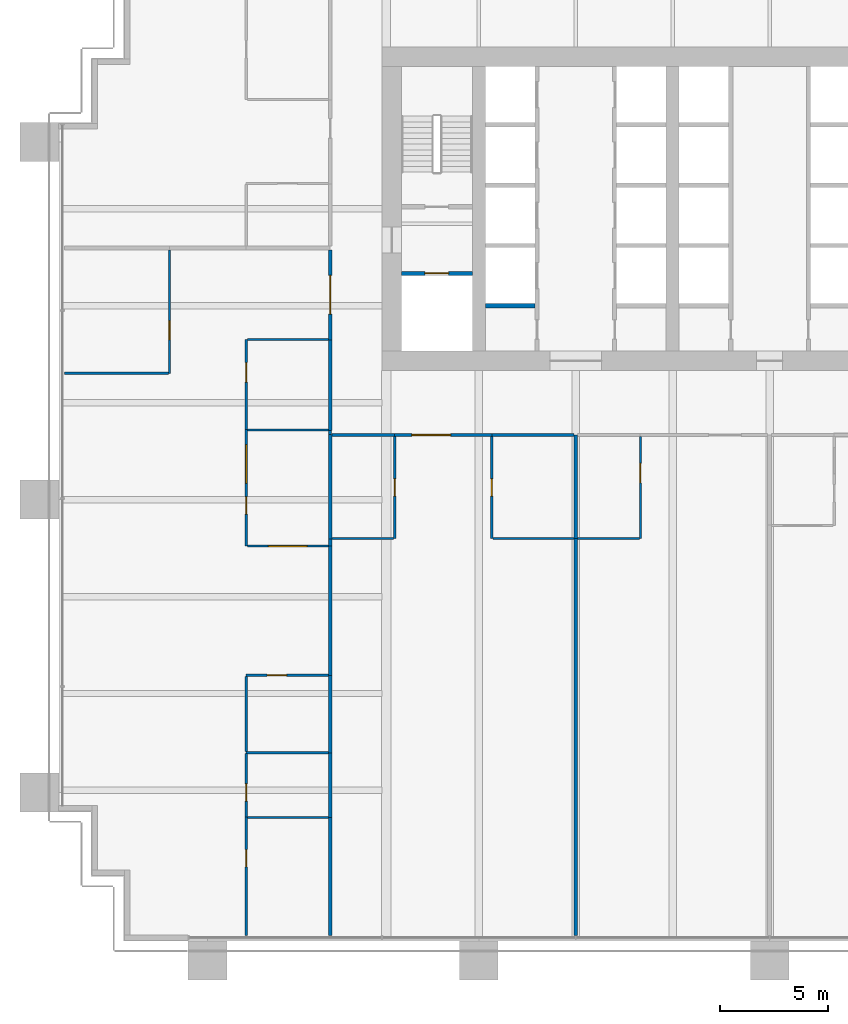
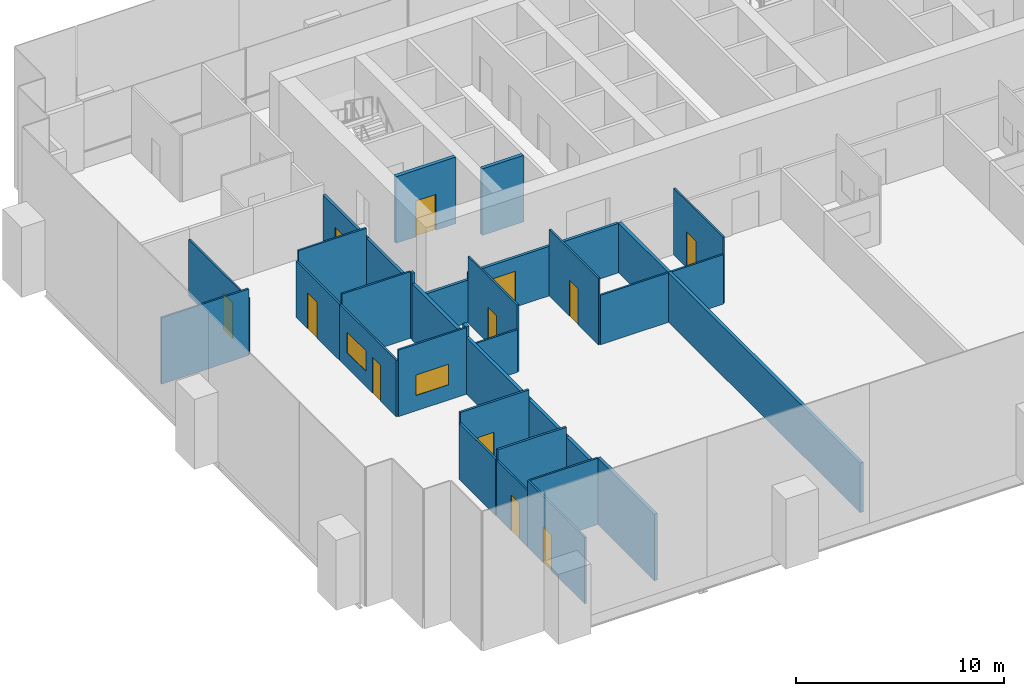
# One storey, part 11 of 18: 35 walls, 12 doors, 2 windows, 14 openings.
"""IFC4 building model written with IfcOpenShell, lengths in metres."""

from ifc_helpers import new_model, si_unit, direction, frame, frame_2d, origin, place, context, subcontext, project, spatial, rectangle, extrude, material, layer, layer_set, type_object, element, fill, save


model = new_model("IFC4")

# Units and contexts
model_context = context("Model", 3, precision=1e-05, world=origin(), true_north=direction((0.0, 1.0)))
body_context = subcontext(model_context, "Body", "Model", "MODEL_VIEW")
ifc_project = project(units=[si_unit("LENGTHUNIT", "METRE"), si_unit("AREAUNIT", "SQUARE_METRE"), si_unit("VOLUMEUNIT", "CUBIC_METRE"), si_unit("PLANEANGLEUNIT", "RADIAN"), si_unit("MASSUNIT", "GRAM", prefix="KILO")], contexts=[model_context])

# Site, building, storey
site_placement = place(None, origin())
site = spatial("IfcSite", under=ifc_project, at=site_placement, CompositionType="ELEMENT")
building_placement = place(site_placement, origin())
building = spatial("IfcBuilding", under=site, at=building_placement, Name="Rattan Terrace Tower", CompositionType="ELEMENT")
storey_placement = place(building_placement, frame((0.0, 0.0, 32.39990234375)))
storey = spatial("IfcBuildingStorey", under=building, at=storey_placement, Name="L06", CompositionType="ELEMENT", Elevation=32.39990234375)

# Wall, opening, door
ifc_material_1 = material(Name="Gypsum board partition")
ifc_layer_1 = layer(ifc_material_1, 0.199951171875)
ifc_layer_set_1 = layer_set([ifc_layer_1], Name="Core partition 200")
wall_type_1 = type_object("IfcWallType", Name="Core partition 200", PredefinedType="PARTITIONING", material=ifc_layer_set_1)
wall_1_placement = place(storey_placement, frame((-17.10009765625, -3.0, 0.0), z_axis=(0.0, 0.0, 1.0), x_axis=(1.0, 0.0, 0.0)))
wall_1 = element("IfcWall", 1, at=wall_1_placement, inside=storey, type_object=wall_type_1, Name="Fire-fighting lobby wall", PredefinedType="PARTITIONING", context=body_context, shape_type="SweptSolid", body=[
    extrude(rectangle(XDim=3.300048828125, YDim=0.199951171875, at=frame_2d((1.64990234375, 0.0))), origin(), (0.0, 0.0, 1.0), 3.900146484375),
])
opening_1_placement = place(wall_1_placement, frame((1.10009765625, 0.0, 0.0)))
opening_1 = element("IfcOpeningElement", 2, at=opening_1_placement, cuts=wall_1, Name="Opening L06-LD-FF1", PredefinedType="OPENING", context=body_context, shape_type="SweptSolid", body=[
    extrude(rectangle(XDim=1.10009765625, YDim=2.10009765625, at=frame_2d((0.550048828125, 1.050048828125))), frame((0.0, 0.110595703125, 0.0), z_axis=(0.0, -1.0, 0.0), x_axis=(1.0, 0.0, 0.0)), (0.0, 0.0, 1.0), 0.220947265625),
])
ifc_material_2 = material(Name="Brushed stainless landing door panel")
door_type_1 = type_object("IfcDoorType", Name="Core lift landing door 1100", OperationType="DOUBLE_DOOR_SLIDING", PredefinedType="DOOR", material=ifc_material_2)
door_1_placement = place(opening_1_placement, origin())
door_1 = element("IfcDoor", 3, at=door_1_placement, inside=storey, type_object=door_type_1, Name="Door L06-LD-FF1", OperationType="DOUBLE_DOOR_SLIDING", OverallHeight=2.10009765625, OverallWidth=1.10009765625, PredefinedType="DOOR", context=body_context, shape_type="SweptSolid", body=[
    extrude(rectangle(XDim=1.10009765625, YDim=2.10009765625, at=frame_2d((0.550048828125, 1.050048828125))), frame((0.0, 0.02490234375, 0.0), z_axis=(0.0, -1.0, 0.0), x_axis=(1.0, 0.0, 0.0)), (0.0, 0.0, 1.0), 0.050048828125),
])
fill(opening_1, door_1)

# Walls
ifc_material_3 = material(Name="Double steel stud acoustic partition, gypsum board, mineral wool, fire rated", Category="steel")
ifc_layer_2 = layer(ifc_material_3, 0.179931640625)
ifc_layer_set_2 = layer_set([ifc_layer_2], Name="Floors Acoustic Party Wall 180")
wall_type_2 = type_object("IfcWallType", Name="Floors Acoustic Party Wall 180", PredefinedType="PARTITIONING", material=ifc_layer_set_2)
wall_2_placement = place(storey_placement, frame((-20.39990234375, -15.659912109375, 0.0), z_axis=(0.0, 0.0, 1.0), x_axis=(0.0, -1.0, 0.0)))
element("IfcWall", 4, at=wall_2_placement, inside=storey, type_object=wall_type_2, Name="pt-L06-034", PredefinedType="PARTITIONING", context=body_context, shape_type="SweptSolid", body=[
    extrude(rectangle(XDim=6.0, YDim=0.179931640625, at=frame_2d((3.0, 0.0))), origin(), (0.0, 0.0, 1.0), 3.300048828125),
])
wall_3_placement = place(storey_placement, frame((-20.39990234375, -28.260009765625, 0.0), z_axis=(0.0, 0.0, 1.0), x_axis=(0.0, -1.0, 0.0)))
element("IfcWall", 5, at=wall_3_placement, inside=storey, type_object=wall_type_2, Name="pt-L06-037", PredefinedType="PARTITIONING", context=body_context, shape_type="SweptSolid", body=[
    extrude(rectangle(XDim=5.47998046875, YDim=0.179931640625, at=frame_2d((2.739990234375, 0.0))), origin(), (0.0, 0.0, 1.0), 3.900146484375),
])
wall_4_placement = place(storey_placement, frame((-20.39990234375, -25.260009765625, 0.0), z_axis=(0.0, 0.0, 1.0), x_axis=(0.0, -1.0, 0.0)))
element("IfcWall", 6, at=wall_4_placement, inside=storey, type_object=wall_type_2, Name="pt-L06-039", PredefinedType="PARTITIONING", context=body_context, shape_type="SweptSolid", body=[
    extrude(rectangle(XDim=3.0, YDim=0.179931640625, at=frame_2d((1.5, 0.0))), origin(), (0.0, 0.0, 1.0), 3.300048828125),
])
wall_5_placement = place(storey_placement, frame((-20.39990234375, -21.659912109375, 0.0), z_axis=(0.0, 0.0, 1.0), x_axis=(0.0, -1.0, 0.0)))
element("IfcWall", 7, at=wall_5_placement, inside=storey, type_object=wall_type_2, Name="pt-L06-040", PredefinedType="PARTITIONING", context=body_context, shape_type="SweptSolid", body=[
    extrude(rectangle(XDim=3.60009765625, YDim=0.179931640625, at=frame_2d((1.800048828125, 0.0))), origin(), (0.0, 0.0, 1.0), 3.300048828125),
])
wall_6_placement = place(storey_placement, frame((-20.39990234375, -15.320068359375, 0.0), z_axis=(0.0, 0.0, 1.0), x_axis=(0.0, -1.0, 0.0)))
element("IfcWall", 8, at=wall_6_placement, inside=storey, type_object=wall_type_2, Name="pt-L06-042", PredefinedType="PARTITIONING", context=body_context, shape_type="SweptSolid", body=[
    extrude(rectangle(XDim=0.33984375, YDim=0.179931640625, at=frame_2d((0.169921875, 0.0))), origin(), (0.0, 0.0, 1.0), 3.900146484375),
])
wall_7_placement = place(storey_placement, frame((-20.39990234375, -10.47998046875, 0.0), z_axis=(0.0, 0.0, 1.0), x_axis=(0.0, -1.0, 0.0)))
element("IfcWall", 9, at=wall_7_placement, inside=storey, type_object=wall_type_2, Name="pt-L06-043", PredefinedType="PARTITIONING", context=body_context, shape_type="SweptSolid", body=[
    extrude(rectangle(XDim=4.840087890625, YDim=0.179931640625, at=frame_2d((2.419921875, 0.0))), origin(), (0.0, 0.0, 1.0), 3.300048828125),
])
wall_8_placement = place(storey_placement, frame((-9.0, -15.300048828125, 0.0), z_axis=(0.0, 0.0, 1.0), x_axis=(0.0, -1.0, 0.0)))
element("IfcWall", 10, at=wall_8_placement, inside=storey, type_object=wall_type_2, Name="pt-L06-052", PredefinedType="PARTITIONING", context=body_context, shape_type="SweptSolid", body=[
    extrude(rectangle(XDim=18.43994140625, YDim=0.179931640625, at=frame_2d((9.219970703125, 0.0))), origin(), (0.0, 0.0, 1.0), 2.900146484375),
])
wall_9_placement = place(storey_placement, frame((-9.0, -10.5, 0.0), z_axis=(0.0, 0.0, 1.0), x_axis=(0.0, -1.0, 0.0)))
element("IfcWall", 11, at=wall_9_placement, inside=storey, type_object=wall_type_2, Name="pt-L06-053", PredefinedType="PARTITIONING", context=body_context, shape_type="SweptSolid", body=[
    extrude(rectangle(XDim=4.800048828125, YDim=0.179931640625, at=frame_2d((2.39990234375, 0.0))), origin(), (0.0, 0.0, 1.0), 2.900146484375),
])
ifc_material_4 = material(Name="Gypsum board partition on steel studs", Category="steel")
ifc_layer_3 = layer(ifc_material_4, 0.10009765625)
ifc_layer_set_3 = layer_set([ifc_layer_3], Name="Floors Partition 100")
wall_type_3 = type_object("IfcWallType", Name="Floors Partition 100", PredefinedType="PARTITIONING", material=ifc_layer_set_3)
wall_10_placement = place(storey_placement, frame((-32.739990234375, -7.635986328125, 0.0), z_axis=(0.0, 0.0, 1.0), x_axis=(1.0, 0.0, 0.0)))
element("IfcWall", 12, at=wall_10_placement, inside=storey, type_object=wall_type_3, Name="pt-L06-022", PredefinedType="PARTITIONING", context=body_context, shape_type="SweptSolid", body=[
    extrude(rectangle(XDim=4.830078125, YDim=0.10009765625, at=frame_2d((2.4150390625, 0.0))), origin(), (0.0, 0.0, 1.0), 3.900146484375),
])

# Wall, opening, door
wall_11_placement = place(storey_placement, frame((-27.860107421875, -7.635986328125, 0.0), z_axis=(0.0, 0.0, 1.0), x_axis=(0.0, 1.0, 0.0)))
wall_11 = element("IfcWall", 13, at=wall_11_placement, inside=storey, type_object=wall_type_3, Name="pt-L06-023", PredefinedType="PARTITIONING", context=body_context, shape_type="SweptSolid", body=[
    extrude(rectangle(XDim=5.72802734375, YDim=0.10009765625, at=frame_2d((2.864013671875, 0.0))), origin(), (0.0, 0.0, 1.0), 3.300048828125),
])
opening_2_placement = place(wall_11_placement, frame((1.548095703125, 0.0, 0.0)))
opening_2 = element("IfcOpeningElement", 14, at=opening_2_placement, cuts=wall_11, Name="Opening L06-D101", PredefinedType="OPENING", context=body_context, shape_type="SweptSolid", body=[
    extrude(rectangle(XDim=0.89990234375, YDim=2.10009765625, at=frame_2d((0.449951171875, 1.050048828125))), frame((0.0, 0.060546875, 0.0), z_axis=(0.0, -1.0, 0.0), x_axis=(1.0, 0.0, 0.0)), (0.0, 0.0, 1.0), 0.12109375),
])
ifc_material_5 = material(Name="Solid core timber door, painted", Category="wood")
door_type_2 = type_object("IfcDoorType", Name="Floors Door 900x2100", OperationType="NOTDEFINED", PredefinedType="DOOR", material=ifc_material_5)
door_2_placement = place(opening_2_placement, origin())
door_2 = element("IfcDoor", 15, at=door_2_placement, inside=storey, type_object=door_type_2, Name="d-L06-101", OperationType="SINGLE_SWING_LEFT", OverallHeight=2.10009765625, OverallWidth=0.89990234375, PredefinedType="DOOR", context=body_context, shape_type="SweptSolid", body=[
    extrude(rectangle(XDim=0.89990234375, YDim=2.10009765625, at=frame_2d((0.449951171875, 1.050048828125))), frame((0.0, 0.02490234375, 0.0), z_axis=(0.0, -1.0, 0.0), x_axis=(1.0, 0.0, 0.0)), (0.0, 0.0, 1.0), 0.050048828125),
])
fill(opening_2, door_2)

wall_12_placement = place(storey_placement, frame((-24.300048828125, -28.239990234375, 0.0), z_axis=(0.0, 0.0, 1.0), x_axis=(0.0, -1.0, 0.0)))
wall_12 = element("IfcWall", 16, at=wall_12_placement, inside=storey, type_object=wall_type_3, Name="pt-L06-024", PredefinedType="PARTITIONING", context=body_context, shape_type="SweptSolid", body=[
    extrude(rectangle(XDim=5.5, YDim=0.10009765625, at=frame_2d((2.75, 0.0))), origin(), (0.0, 0.0, 1.0), 3.900146484375),
])
opening_3_placement = place(wall_12_placement, frame((1.510009765625, 0.0, 0.0)))
opening_3 = element("IfcOpeningElement", 17, at=opening_3_placement, cuts=wall_12, Name="Opening L06-D102", PredefinedType="OPENING", context=body_context, shape_type="SweptSolid", body=[
    extrude(rectangle(XDim=0.800048828125, YDim=2.10009765625, at=frame_2d((0.39990234375, 1.050048828125))), frame((0.0, 0.060546875, 0.0), z_axis=(0.0, -1.0, 0.0), x_axis=(1.0, 0.0, 0.0)), (0.0, 0.0, 1.0), 0.12109375),
])
ifc_material_6 = material(Name="Solid core timber door, painted", Category="wood")
door_type_3 = type_object("IfcDoorType", Name="Floors Store Door 800x2100", OperationType="NOTDEFINED", PredefinedType="DOOR", material=ifc_material_6)
door_3_placement = place(opening_3_placement, origin())
door_3 = element("IfcDoor", 18, at=door_3_placement, inside=storey, type_object=door_type_3, Name="d-L06-102", OperationType="SINGLE_SWING_LEFT", OverallHeight=2.10009765625, OverallWidth=0.800048828125, PredefinedType="DOOR", context=body_context, shape_type="SweptSolid", body=[
    extrude(rectangle(XDim=0.800048828125, YDim=2.10009765625, at=frame_2d((0.39990234375, 1.050048828125))), frame((0.0, 0.02490234375, 0.0), z_axis=(0.0, -1.0, 0.0), x_axis=(1.0, 0.0, 0.0)), (0.0, 0.0, 1.0), 0.050048828125),
])
fill(opening_3, door_3)

wall_13_placement = place(storey_placement, frame((-24.300048828125, -25.280029296875, 0.0), z_axis=(0.0, 0.0, 1.0), x_axis=(0.0, -1.0, 0.0)))
wall_13 = element("IfcWall", 19, at=wall_13_placement, inside=storey, type_object=wall_type_3, Name="pt-L06-025", PredefinedType="PARTITIONING", context=body_context, shape_type="SweptSolid", body=[
    extrude(rectangle(XDim=2.9599609375, YDim=0.10009765625, at=frame_2d((1.47998046875, 0.0))), origin(), (0.0, 0.0, 1.0), 3.300048828125),
])
opening_4_placement = place(wall_13_placement, frame((1.412109375, 0.0, 0.0)))
opening_4 = element("IfcOpeningElement", 20, at=opening_4_placement, cuts=wall_13, Name="Opening L06-D103", PredefinedType="OPENING", context=body_context, shape_type="SweptSolid", body=[
    extrude(rectangle(XDim=0.800048828125, YDim=2.10009765625, at=frame_2d((0.39990234375, 1.050048828125))), frame((0.0, 0.060546875, 0.0), z_axis=(0.0, -1.0, 0.0), x_axis=(1.0, 0.0, 0.0)), (0.0, 0.0, 1.0), 0.12109375),
])
door_4_placement = place(opening_4_placement, origin())
door_4 = element("IfcDoor", 21, at=door_4_placement, inside=storey, type_object=door_type_3, Name="d-L06-103", OperationType="SINGLE_SWING_RIGHT", OverallHeight=2.10009765625, OverallWidth=0.800048828125, PredefinedType="DOOR", context=body_context, shape_type="SweptSolid", body=[
    extrude(rectangle(XDim=0.800048828125, YDim=2.10009765625, at=frame_2d((0.39990234375, 1.050048828125))), frame((0.0, 0.02490234375, 0.0), z_axis=(0.0, -1.0, 0.0), x_axis=(1.0, 0.0, 0.0)), (0.0, 0.0, 1.0), 0.050048828125),
])
fill(opening_4, door_4)

# Wall, openings, door, window
wall_14_placement = place(storey_placement, frame((-24.300048828125, -10.239990234375, 0.0), z_axis=(0.0, 0.0, 1.0), x_axis=(0.0, -1.0, 0.0)))
wall_14 = element("IfcWall", 22, at=wall_14_placement, inside=storey, type_object=wall_type_3, Name="pt-L06-028", PredefinedType="PARTITIONING", context=body_context, shape_type="SweptSolid", body=[
    extrude(rectangle(XDim=5.419921875, YDim=0.10009765625, at=frame_2d((2.7099609375, 0.0))), origin(), (0.0, 0.0, 1.0), 3.300048828125),
])
opening_5_placement = place(wall_14_placement, frame((3.134033203125, 0.0, 0.0)))
opening_5 = element("IfcOpeningElement", 23, at=opening_5_placement, cuts=wall_14, Name="Opening L06-D105", PredefinedType="OPENING", context=body_context, shape_type="SweptSolid", body=[
    extrude(rectangle(XDim=0.800048828125, YDim=2.10009765625, at=frame_2d((0.39990234375, 1.050048828125))), frame((0.0, 0.060546875, 0.0), z_axis=(0.0, -1.0, 0.0), x_axis=(1.0, 0.0, 0.0)), (0.0, 0.0, 1.0), 0.12109375),
])
opening_6_placement = place(wall_14_placement, frame((0.701904296875, 0.0, 0.89990234375)))
opening_6 = element("IfcOpeningElement", 24, at=opening_6_placement, cuts=wall_14, Name="Opening L06-W100", PredefinedType="OPENING", context=body_context, shape_type="SweptSolid", body=[
    extrude(rectangle(XDim=1.800048828125, YDim=1.199951171875, at=frame_2d((0.89990234375, 0.60009765625))), frame((0.0, 0.060546875, 0.0), z_axis=(0.0, -1.0, 0.0), x_axis=(1.0, 0.0, 0.0)), (0.0, 0.0, 1.0), 0.12109375),
])
door_5_placement = place(opening_5_placement, origin())
door_5 = element("IfcDoor", 25, at=door_5_placement, inside=storey, type_object=door_type_3, Name="d-L06-105", OperationType="SINGLE_SWING_RIGHT", OverallHeight=2.10009765625, OverallWidth=0.800048828125, PredefinedType="DOOR", context=body_context, shape_type="SweptSolid", body=[
    extrude(rectangle(XDim=0.800048828125, YDim=2.10009765625, at=frame_2d((0.39990234375, 1.050048828125))), frame((0.0, 0.02490234375, 0.0), z_axis=(0.0, -1.0, 0.0), x_axis=(1.0, 0.0, 0.0)), (0.0, 0.0, 1.0), 0.050048828125),
])
fill(opening_5, door_5)
ifc_material_7 = material(Name="Glass, clear, fixed in aluminium frame", Category="aluminium")
window_type = type_object("IfcWindowType", Name="Interior Vision Window 1800x1200", PartitioningType="SINGLE_PANEL", PredefinedType="WINDOW", material=ifc_material_7)
window_1_placement = place(opening_6_placement, origin())
window_1 = element("IfcWindow", 26, at=window_1_placement, inside=storey, type_object=window_type, Name="w-L06-100", OverallHeight=1.199951171875, OverallWidth=1.800048828125, PartitioningType="SINGLE_PANEL", PredefinedType="WINDOW", context=body_context, shape_type="SweptSolid", body=[
    extrude(rectangle(XDim=1.800048828125, YDim=1.199951171875, at=frame_2d((0.89990234375, 0.60009765625))), frame((0.0, 0.030029296875, 0.0), z_axis=(0.0, -1.0, 0.0), x_axis=(1.0, 0.0, 0.0)), (0.0, 0.0, 1.0), 0.06005859375),
])
fill(opening_6, window_1)

# Wall, opening, window
wall_15_placement = place(storey_placement, frame((-24.25, -15.659912109375, 0.0), z_axis=(0.0, 0.0, 1.0), x_axis=(1.0, 0.0, 0.0)))
wall_15 = element("IfcWall", 27, at=wall_15_placement, inside=storey, type_object=wall_type_3, Name="pt-L06-029", PredefinedType="PARTITIONING", context=body_context, shape_type="SweptSolid", body=[
    extrude(rectangle(XDim=3.760009765625, YDim=0.10009765625, at=frame_2d((1.8798828125, 0.0))), origin(), (0.0, 0.0, 1.0), 3.900146484375),
])
opening_7_placement = place(wall_15_placement, frame((0.97998046875, 0.0, 0.89990234375)))
opening_7 = element("IfcOpeningElement", 28, at=opening_7_placement, cuts=wall_15, Name="Opening L06-W101", PredefinedType="OPENING", context=body_context, shape_type="SweptSolid", body=[
    extrude(rectangle(XDim=1.800048828125, YDim=1.199951171875, at=frame_2d((0.89990234375, 0.60009765625))), frame((0.0, 0.060546875, 0.0), z_axis=(0.0, -1.0, 0.0), x_axis=(1.0, 0.0, 0.0)), (0.0, 0.0, 1.0), 0.12109375),
])
window_2_placement = place(opening_7_placement, origin())
window_2 = element("IfcWindow", 29, at=window_2_placement, inside=storey, type_object=window_type, Name="w-L06-101", OverallHeight=1.199951171875, OverallWidth=1.800048828125, PartitioningType="SINGLE_PANEL", PredefinedType="WINDOW", context=body_context, shape_type="SweptSolid", body=[
    extrude(rectangle(XDim=1.800048828125, YDim=1.199951171875, at=frame_2d((0.89990234375, 0.60009765625))), frame((0.0, 0.030029296875, 0.0), z_axis=(0.0, -1.0, 0.0), x_axis=(1.0, 0.0, 0.0)), (0.0, 0.0, 1.0), 0.06005859375),
])
fill(opening_7, window_2)

# Wall, opening, door
wall_16_placement = place(storey_placement, frame((-24.300048828125, -6.06005859375, 0.0), z_axis=(0.0, 0.0, 1.0), x_axis=(0.0, -1.0, 0.0)))
wall_16 = element("IfcWall", 30, at=wall_16_placement, inside=storey, type_object=wall_type_3, Name="pt-L06-030", PredefinedType="PARTITIONING", context=body_context, shape_type="SweptSolid", body=[
    extrude(rectangle(XDim=4.179931640625, YDim=0.10009765625, at=frame_2d((2.08984375, 0.0))), origin(), (0.0, 0.0, 1.0), 3.300048828125),
])
opening_8_placement = place(wall_16_placement, frame((1.083984375, 0.0, 0.0)))
opening_8 = element("IfcOpeningElement", 31, at=opening_8_placement, cuts=wall_16, Name="Opening L06-D106", PredefinedType="OPENING", context=body_context, shape_type="SweptSolid", body=[
    extrude(rectangle(XDim=0.89990234375, YDim=2.10009765625, at=frame_2d((0.449951171875, 1.050048828125))), frame((0.0, 0.060546875, 0.0), z_axis=(0.0, -1.0, 0.0), x_axis=(1.0, 0.0, 0.0)), (0.0, 0.0, 1.0), 0.12109375),
])
door_6_placement = place(opening_8_placement, origin())
door_6 = element("IfcDoor", 32, at=door_6_placement, inside=storey, type_object=door_type_2, Name="d-L06-106", OperationType="SINGLE_SWING_LEFT", OverallHeight=2.10009765625, OverallWidth=0.89990234375, PredefinedType="DOOR", context=body_context, shape_type="SweptSolid", body=[
    extrude(rectangle(XDim=0.89990234375, YDim=2.10009765625, at=frame_2d((0.449951171875, 1.050048828125))), frame((0.0, 0.02490234375, 0.0), z_axis=(0.0, -1.0, 0.0), x_axis=(1.0, 0.0, 0.0)), (0.0, 0.0, 1.0), 0.050048828125),
])
fill(opening_8, door_6)

# Walls
wall_17_placement = place(storey_placement, frame((-20.47509765625, -6.06005859375, 0.0), z_axis=(0.0, 0.0, 1.0), x_axis=(-1.0, 0.0, 0.0)))
element("IfcWall", 33, at=wall_17_placement, inside=storey, type_object=wall_type_3, Name="pt-L06-031", PredefinedType="PARTITIONING", context=body_context, shape_type="SweptSolid", body=[
    extrude(rectangle(XDim=3.77490234375, YDim=0.10009765625, at=frame_2d((1.887451171875, 0.0))), origin(), (0.0, 0.0, 1.0), 3.900146484375),
])
wall_18_placement = place(storey_placement, frame((-24.25, -28.260009765625, 0.0), z_axis=(0.0, 0.0, 1.0), x_axis=(1.0, 0.0, 0.0)))
element("IfcWall", 34, at=wall_18_placement, inside=storey, type_object=wall_type_3, Name="pt-L06-036", PredefinedType="PARTITIONING", context=body_context, shape_type="SweptSolid", body=[
    extrude(rectangle(XDim=3.760009765625, YDim=0.10009765625, at=frame_2d((1.8798828125, 0.0))), origin(), (0.0, 0.0, 1.0), 3.900146484375),
])
wall_19_placement = place(storey_placement, frame((-24.25, -10.260009765625, 0.0), z_axis=(0.0, 0.0, 1.0), x_axis=(1.0, 0.0, 0.0)))
element("IfcWall", 35, at=wall_19_placement, inside=storey, type_object=wall_type_3, Name="pt-L06-041", PredefinedType="PARTITIONING", context=body_context, shape_type="SweptSolid", body=[
    extrude(rectangle(XDim=3.77490234375, YDim=0.10009765625, at=frame_2d((1.887451171875, 0.0))), origin(), (0.0, 0.0, 1.0), 3.900146484375),
])
wall_20_placement = place(storey_placement, frame((-20.31005859375, -15.300048828125, 0.0), z_axis=(0.0, 0.0, 1.0), x_axis=(1.0, 0.0, 0.0)))
element("IfcWall", 36, at=wall_20_placement, inside=storey, type_object=wall_type_3, Name="pt-L06-048", PredefinedType="PARTITIONING", context=body_context, shape_type="SweptSolid", body=[
    extrude(rectangle(XDim=2.860107421875, YDim=0.10009765625, at=frame_2d((1.43017578125, 0.0))), origin(), (0.0, 0.0, 1.0), 2.5),
])

# Wall, opening, door
wall_21_placement = place(storey_placement, frame((-17.39990234375, -15.300048828125, 0.0), z_axis=(0.0, 0.0, 1.0), x_axis=(0.0, 1.0, 0.0)))
wall_21 = element("IfcWall", 37, at=wall_21_placement, inside=storey, type_object=wall_type_3, Name="pt-L06-049", PredefinedType="PARTITIONING", context=body_context, shape_type="SweptSolid", body=[
    extrude(rectangle(XDim=4.72509765625, YDim=0.10009765625, at=frame_2d((2.362548828125, 0.0))), origin(), (0.0, 0.0, 1.0), 3.900146484375),
])
opening_9_placement = place(wall_21_placement, frame((1.962890625, 0.0, 0.0)))
opening_9 = element("IfcOpeningElement", 38, at=opening_9_placement, cuts=wall_21, Name="Opening L06-D111", PredefinedType="OPENING", context=body_context, shape_type="SweptSolid", body=[
    extrude(rectangle(XDim=0.800048828125, YDim=2.10009765625, at=frame_2d((0.39990234375, 1.050048828125))), frame((0.0, 0.060546875, 0.0), z_axis=(0.0, -1.0, 0.0), x_axis=(1.0, 0.0, 0.0)), (0.0, 0.0, 1.0), 0.12109375),
])
door_7_placement = place(opening_9_placement, origin())
door_7 = element("IfcDoor", 39, at=door_7_placement, inside=storey, type_object=door_type_3, Name="d-L06-111", OperationType="SINGLE_SWING_RIGHT", OverallHeight=2.10009765625, OverallWidth=0.800048828125, PredefinedType="DOOR", context=body_context, shape_type="SweptSolid", body=[
    extrude(rectangle(XDim=0.800048828125, YDim=2.10009765625, at=frame_2d((0.39990234375, 1.050048828125))), frame((0.0, 0.02490234375, 0.0), z_axis=(0.0, -1.0, 0.0), x_axis=(1.0, 0.0, 0.0)), (0.0, 0.0, 1.0), 0.050048828125),
])
fill(opening_9, door_7)

wall_22_placement = place(storey_placement, frame((-12.89990234375, -10.574951171875, 0.0), z_axis=(0.0, 0.0, 1.0), x_axis=(0.0, -1.0, 0.0)))
wall_22 = element("IfcWall", 40, at=wall_22_placement, inside=storey, type_object=wall_type_3, Name="pt-L06-050", PredefinedType="PARTITIONING", context=body_context, shape_type="SweptSolid", body=[
    extrude(rectangle(XDim=4.72509765625, YDim=0.10009765625, at=frame_2d((2.362548828125, 0.0))), origin(), (0.0, 0.0, 1.0), 3.900146484375),
])
opening_10_placement = place(wall_22_placement, frame((1.962890625, 0.0, 0.0)))
opening_10 = element("IfcOpeningElement", 41, at=opening_10_placement, cuts=wall_22, Name="Opening L06-D112", PredefinedType="OPENING", context=body_context, shape_type="SweptSolid", body=[
    extrude(rectangle(XDim=0.800048828125, YDim=2.10009765625, at=frame_2d((0.39990234375, 1.050048828125))), frame((0.0, 0.060546875, 0.0), z_axis=(0.0, -1.0, 0.0), x_axis=(1.0, 0.0, 0.0)), (0.0, 0.0, 1.0), 0.12109375),
])
door_8_placement = place(opening_10_placement, origin())
door_8 = element("IfcDoor", 42, at=door_8_placement, inside=storey, type_object=door_type_3, Name="d-L06-112", OperationType="SINGLE_SWING_LEFT", OverallHeight=2.10009765625, OverallWidth=0.800048828125, PredefinedType="DOOR", context=body_context, shape_type="SweptSolid", body=[
    extrude(rectangle(XDim=0.800048828125, YDim=2.10009765625, at=frame_2d((0.39990234375, 1.050048828125))), frame((0.0, 0.02490234375, 0.0), z_axis=(0.0, -1.0, 0.0), x_axis=(1.0, 0.0, 0.0)), (0.0, 0.0, 1.0), 0.050048828125),
])
fill(opening_10, door_8)

# Walls
wall_23_placement = place(storey_placement, frame((-12.85009765625, -15.300048828125, 0.0), z_axis=(0.0, 0.0, 1.0), x_axis=(1.0, 0.0, 0.0)))
element("IfcWall", 43, at=wall_23_placement, inside=storey, type_object=wall_type_3, Name="pt-L06-051", PredefinedType="PARTITIONING", context=body_context, shape_type="SweptSolid", body=[
    extrude(rectangle(XDim=3.760009765625, YDim=0.10009765625, at=frame_2d((1.8798828125, 0.0))), origin(), (0.0, 0.0, 1.0), 2.900146484375),
])
wall_24_placement = place(storey_placement, frame((-8.909912109375, -15.300048828125, 0.0), z_axis=(0.0, 0.0, 1.0), x_axis=(1.0, 0.0, 0.0)))
element("IfcWall", 44, at=wall_24_placement, inside=storey, type_object=wall_type_3, Name="pt-L06-054", PredefinedType="PARTITIONING", context=body_context, shape_type="SweptSolid", body=[
    extrude(rectangle(XDim=2.85986328125, YDim=0.10009765625, at=frame_2d((1.429931640625, 0.0))), origin(), (0.0, 0.0, 1.0), 2.900146484375),
])

# Wall, opening, door
wall_25_placement = place(storey_placement, frame((-6.0, -15.300048828125, 0.0), z_axis=(0.0, 0.0, 1.0), x_axis=(0.0, 1.0, 0.0)))
wall_25 = element("IfcWall", 45, at=wall_25_placement, inside=storey, type_object=wall_type_3, Name="pt-L06-055", PredefinedType="PARTITIONING", context=body_context, shape_type="SweptSolid", body=[
    extrude(rectangle(XDim=4.72509765625, YDim=0.10009765625, at=frame_2d((2.362548828125, 0.0))), origin(), (0.0, 0.0, 1.0), 3.900146484375),
])
opening_11_placement = place(wall_25_placement, frame((2.577880859375, 0.0, 0.0)))
opening_11 = element("IfcOpeningElement", 46, at=opening_11_placement, cuts=wall_25, Name="Opening L06-D114", PredefinedType="OPENING", context=body_context, shape_type="SweptSolid", body=[
    extrude(rectangle(XDim=0.89990234375, YDim=2.10009765625, at=frame_2d((0.449951171875, 1.050048828125))), frame((0.0, 0.060546875, 0.0), z_axis=(0.0, -1.0, 0.0), x_axis=(1.0, 0.0, 0.0)), (0.0, 0.0, 1.0), 0.12109375),
])
door_9_placement = place(opening_11_placement, origin())
door_9 = element("IfcDoor", 47, at=door_9_placement, inside=storey, type_object=door_type_2, Name="d-L06-114", OperationType="SINGLE_SWING_RIGHT", OverallHeight=2.10009765625, OverallWidth=0.89990234375, PredefinedType="DOOR", context=body_context, shape_type="SweptSolid", body=[
    extrude(rectangle(XDim=0.89990234375, YDim=2.10009765625, at=frame_2d((0.449951171875, 1.050048828125))), frame((0.0, 0.02490234375, 0.0), z_axis=(0.0, -1.0, 0.0), x_axis=(1.0, 0.0, 0.0)), (0.0, 0.0, 1.0), 0.050048828125),
])
fill(opening_11, door_9)

ifc_material_8 = material(Name="Gypsum board partition on steel studs, fire rated", Category="steel")
ifc_layer_4 = layer(ifc_material_8, 0.14990234375)
ifc_layer_set_4 = layer_set([ifc_layer_4], Name="Floors Tenancy Wall 150")
wall_type_4 = type_object("IfcWallType", Name="Floors Tenancy Wall 150", PredefinedType="PARTITIONING", material=ifc_layer_set_4)
wall_26_placement = place(storey_placement, frame((-20.39990234375, -6.080078125, 0.0), z_axis=(0.0, 0.0, 1.0), x_axis=(0.0, 1.0, 0.0)))
wall_26 = element("IfcWall", 48, at=wall_26_placement, inside=storey, type_object=wall_type_4, Name="pt-L06-001", PredefinedType="PARTITIONING", context=body_context, shape_type="SweptSolid", body=[
    extrude(rectangle(XDim=4.172119140625, YDim=0.14990234375, at=frame_2d((2.0859375, 0.0))), origin(), (0.0, 0.0, 1.0), 3.300048828125),
])
opening_12_placement = place(wall_26_placement, frame((1.18603515625, 0.0, 0.0)))
opening_12 = element("IfcOpeningElement", 49, at=opening_12_placement, cuts=wall_26, Name="Opening L06-D100", PredefinedType="OPENING", context=body_context, shape_type="SweptSolid", body=[
    extrude(rectangle(XDim=1.800048828125, YDim=2.10009765625, at=frame_2d((0.89990234375, 1.050048828125))), frame((0.0, 0.08544921875, 0.0), z_axis=(0.0, -1.0, 0.0), x_axis=(1.0, 0.0, 0.0)), (0.0, 0.0, 1.0), 0.1708984375),
])
ifc_material_9 = material(Name="Steel fire door set", Category="steel")
door_type_4 = type_object("IfcDoorType", Name="Floors Fire Door Pair FD30S 1800x2100", OperationType="NOTDEFINED", PredefinedType="DOOR", material=ifc_material_9)
door_10_placement = place(opening_12_placement, origin())
door_10 = element("IfcDoor", 50, at=door_10_placement, inside=storey, type_object=door_type_4, Name="d-L06-100", OperationType="DOUBLE_DOOR_SINGLE_SWING", OverallHeight=2.10009765625, OverallWidth=1.800048828125, PredefinedType="DOOR", context=body_context, shape_type="SweptSolid", body=[
    extrude(rectangle(XDim=1.800048828125, YDim=2.10009765625, at=frame_2d((0.89990234375, 1.050048828125))), frame((0.0, 0.02490234375, 0.0), z_axis=(0.0, -1.0, 0.0), x_axis=(1.0, 0.0, 0.0)), (0.0, 0.0, 1.0), 0.050048828125),
])
fill(opening_12, door_10)

# Walls
wall_27_placement = place(storey_placement, frame((-20.406005859375, -10.47998046875, 0.0), z_axis=(0.0, 0.0, 1.0), x_axis=(0.0, 1.0, 0.0)))
element("IfcWall", 51, at=wall_27_placement, inside=storey, type_object=wall_type_4, Name="pt-L06-002", PredefinedType="PARTITIONING", context=body_context, shape_type="SweptSolid", body=[
    extrude(rectangle(XDim=0.199951171875, YDim=0.14990234375, at=frame_2d((0.10009765625, 0.0))), origin(), (0.0, 0.0, 1.0), 3.900146484375),
])
wall_28_placement = place(storey_placement, frame((-20.39990234375, -10.280029296875, 0.0), z_axis=(0.0, 0.0, 1.0), x_axis=(0.0, 1.0, 0.0)))
element("IfcWall", 52, at=wall_28_placement, inside=storey, type_object=wall_type_4, Name="pt-L06-003", PredefinedType="PARTITIONING", context=body_context, shape_type="SweptSolid", body=[
    extrude(rectangle(XDim=4.199951171875, YDim=0.14990234375, at=frame_2d((2.10009765625, 0.0))), origin(), (0.0, 0.0, 1.0), 3.300048828125),
])

# Wall, opening, door
wall_29_placement = place(storey_placement, frame((-12.8798828125, -10.5, 0.0), z_axis=(0.0, 0.0, 1.0), x_axis=(-1.0, 0.0, 0.0)))
wall_29 = element("IfcWall", 53, at=wall_29_placement, inside=storey, type_object=wall_type_4, Name="pt-L06-007", PredefinedType="PARTITIONING", context=body_context, shape_type="SweptSolid", body=[
    extrude(rectangle(XDim=4.5400390625, YDim=0.14990234375, at=frame_2d((2.27001953125, 0.0))), origin(), (0.0, 0.0, 1.0), 2.900146484375),
])
opening_13_placement = place(wall_29_placement, frame((1.929931640625, 0.0, 0.0)))
opening_13 = element("IfcOpeningElement", 54, at=opening_13_placement, cuts=wall_29, Name="Opening L06-D110", PredefinedType="OPENING", context=body_context, shape_type="SweptSolid", body=[
    extrude(rectangle(XDim=1.800048828125, YDim=2.10009765625, at=frame_2d((0.89990234375, 1.050048828125))), frame((0.0, 0.08544921875, 0.0), z_axis=(0.0, -1.0, 0.0), x_axis=(1.0, 0.0, 0.0)), (0.0, 0.0, 1.0), 0.1708984375),
])
door_11_placement = place(opening_13_placement, origin())
door_11 = element("IfcDoor", 55, at=door_11_placement, inside=storey, type_object=door_type_4, Name="d-L06-110", OperationType="DOUBLE_DOOR_SINGLE_SWING", OverallHeight=2.10009765625, OverallWidth=1.800048828125, PredefinedType="DOOR", context=body_context, shape_type="SweptSolid", body=[
    extrude(rectangle(XDim=1.800048828125, YDim=2.10009765625, at=frame_2d((0.89990234375, 1.050048828125))), frame((0.0, 0.02490234375, 0.0), z_axis=(0.0, -1.0, 0.0), x_axis=(1.0, 0.0, 0.0)), (0.0, 0.0, 1.0), 0.050048828125),
])
fill(opening_13, door_11)

# Walls
wall_30_placement = place(storey_placement, frame((-17.419921875, -10.4990234375, 0.0), z_axis=(0.0, 0.0, 1.0), x_axis=(-1.0, 0.0, 0.0)))
element("IfcWall", 56, at=wall_30_placement, inside=storey, type_object=wall_type_4, Name="pt-L06-008", PredefinedType="PARTITIONING", context=body_context, shape_type="SweptSolid", body=[
    extrude(rectangle(XDim=2.89013671875, YDim=0.14990234375, at=frame_2d((1.445068359375, 0.0))), origin(), (0.0, 0.0, 1.0), 2.5),
])
wall_31_placement = place(storey_placement, frame((-9.090087890625, -10.4990234375, 0.0), z_axis=(0.0, 0.0, 1.0), x_axis=(-1.0, 0.0, 0.0)))
element("IfcWall", 57, at=wall_31_placement, inside=storey, type_object=wall_type_4, Name="pt-L06-009", PredefinedType="PARTITIONING", context=body_context, shape_type="SweptSolid", body=[
    extrude(rectangle(XDim=3.789794921875, YDim=0.14990234375, at=frame_2d((1.89501953125, 0.0))), origin(), (0.0, 0.0, 1.0), 2.900146484375),
])
ifc_material_10 = material(Name="Moisture resistant gypsum board partition on steel studs with service cavity", Category="steel")
ifc_layer_5 = layer(ifc_material_10, 0.1201171875)
ifc_layer_set_5 = layer_set([ifc_layer_5], Name="Floors Wet Wall 120")
wall_type_5 = type_object("IfcWallType", Name="Floors Wet Wall 120", PredefinedType="PARTITIONING", material=ifc_layer_set_5)
wall_32_placement = place(storey_placement, frame((-24.301025390625, -21.719970703125, 0.0), z_axis=(0.0, 0.0, 1.0), x_axis=(0.0, -1.0, 0.0)))
element("IfcWall", 58, at=wall_32_placement, inside=storey, type_object=wall_type_5, Name="pt-L06-026", PredefinedType="PARTITIONING", context=body_context, shape_type="SweptSolid", body=[
    extrude(rectangle(XDim=3.47998046875, YDim=0.1201171875, at=frame_2d((1.739990234375, 0.0))), origin(), (0.0, 0.0, 1.0), 3.300048828125),
])

# Wall, opening, door
wall_33_placement = place(storey_placement, frame((-20.489990234375, -21.659912109375, 0.0), z_axis=(0.0, 0.0, 1.0), x_axis=(-1.0, 0.0, 0.0)))
wall_33 = element("IfcWall", 59, at=wall_33_placement, inside=storey, type_object=wall_type_5, Name="pt-L06-027", PredefinedType="PARTITIONING", context=body_context, shape_type="SweptSolid", body=[
    extrude(rectangle(XDim=3.81005859375, YDim=0.1201171875, at=frame_2d((1.905029296875, 0.0))), origin(), (0.0, 0.0, 1.0), 3.900146484375),
])
opening_14_placement = place(wall_33_placement, frame((1.93701171875, 0.0, 0.0)))
opening_14 = element("IfcOpeningElement", 60, at=opening_14_placement, cuts=wall_33, Name="Opening L06-D104", PredefinedType="OPENING", context=body_context, shape_type="SweptSolid", body=[
    extrude(rectangle(XDim=0.89990234375, YDim=2.10009765625, at=frame_2d((0.449951171875, 1.050048828125))), frame((0.0, 0.070556640625, 0.0), z_axis=(0.0, -1.0, 0.0), x_axis=(1.0, 0.0, 0.0)), (0.0, 0.0, 1.0), 0.14111328125),
])
door_12_placement = place(opening_14_placement, origin())
door_12 = element("IfcDoor", 61, at=door_12_placement, inside=storey, type_object=door_type_2, Name="d-L06-104", OperationType="SINGLE_SWING_RIGHT", OverallHeight=2.10009765625, OverallWidth=0.89990234375, PredefinedType="DOOR", context=body_context, shape_type="SweptSolid", body=[
    extrude(rectangle(XDim=0.89990234375, YDim=2.10009765625, at=frame_2d((0.449951171875, 1.050048828125))), frame((0.0, 0.02490234375, 0.0), z_axis=(0.0, -1.0, 0.0), x_axis=(1.0, 0.0, 0.0)), (0.0, 0.0, 1.0), 0.050048828125),
])
fill(opening_14, door_12)

# Walls
wall_34_placement = place(storey_placement, frame((-24.300048828125, -25.260009765625, 0.0), z_axis=(0.0, 0.0, 1.0), x_axis=(1.0, 0.0, 0.0)))
element("IfcWall", 62, at=wall_34_placement, inside=storey, type_object=wall_type_5, Name="pt-L06-038", PredefinedType="PARTITIONING", context=body_context, shape_type="SweptSolid", body=[
    extrude(rectangle(XDim=3.81005859375, YDim=0.1201171875, at=frame_2d((1.905029296875, 0.0))), origin(), (0.0, 0.0, 1.0), 3.900146484375),
])
ifc_material_11 = material(Name="Gypsum shaft wall system")
ifc_layer_6 = layer(ifc_material_11, 0.199951171875)
ifc_layer_set_6 = layer_set([ifc_layer_6], Name="Lift shaft wall 200")
wall_type_6 = type_object("IfcWallType", Name="Lift shaft wall 200", PredefinedType="PARTITIONING", material=ifc_layer_set_6)
wall_35_placement = place(storey_placement, frame((-13.199951171875, -4.5, 0.0), z_axis=(0.0, 0.0, 1.0), x_axis=(1.0, 0.0, 0.0)))
element("IfcWall", 63, at=wall_35_placement, inside=storey, type_object=wall_type_6, Name="Lift shaft wall", PredefinedType="PARTITIONING", context=body_context, shape_type="SweptSolid", body=[
    extrude(rectangle(XDim=2.300048828125, YDim=0.199951171875, at=frame_2d((1.14990234375, 0.0))), origin(), (0.0, 0.0, 1.0), 3.900146484375),
])

save(model, "model.ifc")
